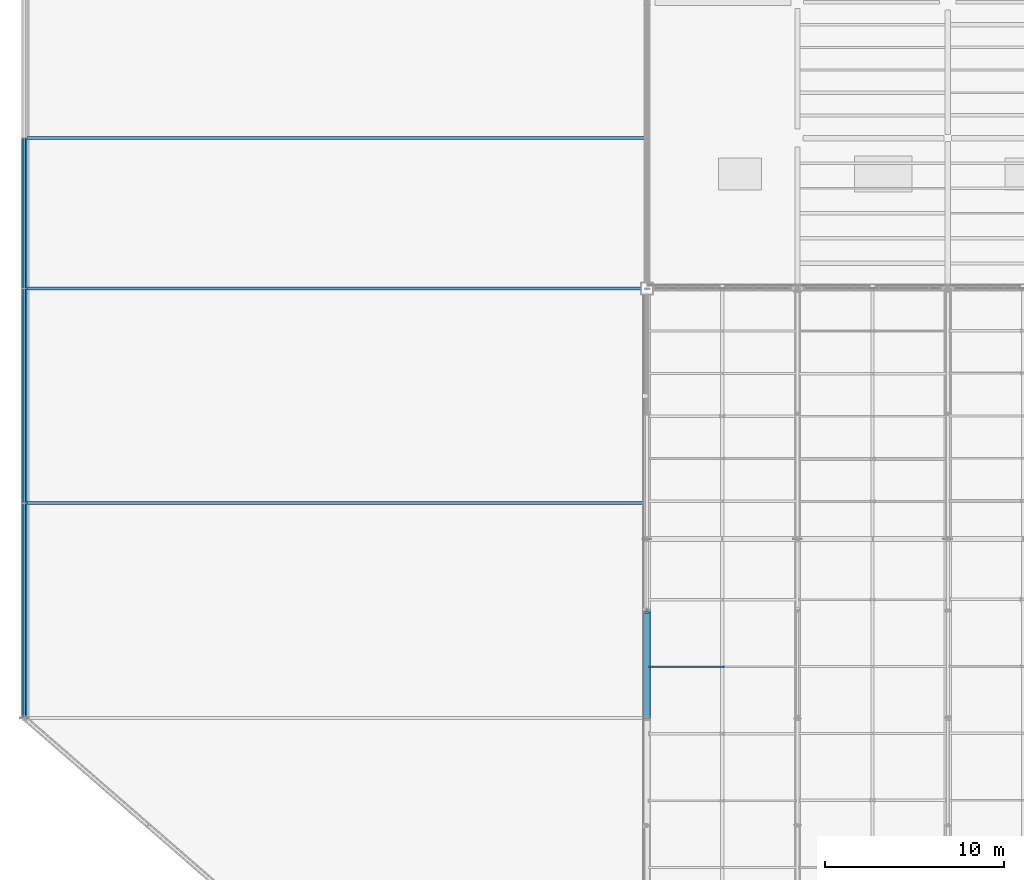
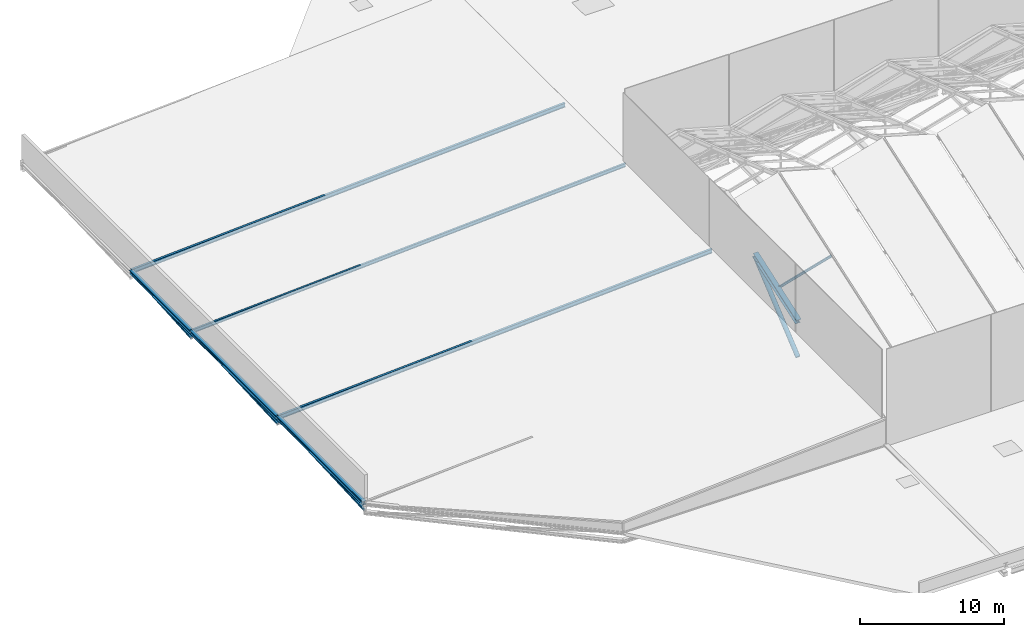
# One storey, part 8 of 77: 12 members.
"""IFC4 building model written with IfcOpenShell, lengths in metres."""

from ifc_helpers import new_model, si_unit, direction, frame, origin, origin_2d, place, context, subcontext, project, spatial, hollow_rectangle, hollow_circle, i_section, extrude, material, material_profile, profile_set, type_object, element, save


model = new_model("IFC4")

# Units and contexts
model_context = context("Model", 3, precision=1e-05, world=origin(), true_north=direction((0.0, 1.0)))
body_context = subcontext(model_context, "Body", "Model", "MODEL_VIEW")
ifc_project = project(units=[si_unit("LENGTHUNIT", "METRE"), si_unit("AREAUNIT", "SQUARE_METRE"), si_unit("VOLUMEUNIT", "CUBIC_METRE"), si_unit("PLANEANGLEUNIT", "RADIAN"), si_unit("MASSUNIT", "GRAM", prefix="KILO")], contexts=[model_context])

# Site, building, storey
site_placement = place(None, origin())
site = spatial("IfcSite", under=ifc_project, at=site_placement, CompositionType="ELEMENT")
building_placement = place(site_placement, origin())
building = spatial("IfcBuilding", under=site, at=building_placement, Name="Larkvane Passage Sports Hall", CompositionType="ELEMENT")
storey_placement = place(building_placement, frame((0.0, 0.0, 22.199951171875)))
storey = spatial("IfcBuildingStorey", under=building, at=storey_placement, Name="RF", CompositionType="ELEMENT", Elevation=22.199951171875)

# Members
ifc_material_1 = material(Name="Steel S460N", Category="steel")
ifc_material_profile_1 = material_profile(ifc_material_1, hollow_circle(Radius=0.177734375, WallThickness=0.0126953125, at=origin_2d()), Name="CHS-355.6x12.7")
ifc_profile_set_1 = profile_set([ifc_material_profile_1], Name="Steel S460N")
member_type_1 = type_object("IfcMemberType", Name="MBR-BR-CHS355", PredefinedType="BRACE", material=ifc_profile_set_1)
member_1_placement = place(storey_placement, frame((34.800048828125, 51.64990234375, 0.18994140625), z_axis=(0.0, 0.768130087467, 0.640293814376), x_axis=(-1.0, 0.0, 0.0)))
element("IfcMember", 1, at=member_1_placement, inside=storey, type_object=member_type_1, Name="Arena roof truss 1 web brace 3", PredefinedType="BRACE", context=body_context, shape_type="SweptSolid", body=[
    extrude(hollow_circle(Radius=0.177734375, WallThickness=0.0126953125, at=origin_2d()), origin(), (0.0, 0.0, 1.0), 7.68115234375),
])
ifc_material_2 = material(Name="Steel S355JR", Category="steel")
ifc_material_profile_2 = material_profile(ifc_material_2, hollow_rectangle(XDim=0.14990234375, YDim=0.14990234375, WallThickness=0.008056640625, InnerFilletRadius=0.008056640625, OuterFilletRadius=0.01611328125, at=origin_2d()), Name="SHS-150x150x8")
ifc_profile_set_2 = profile_set([ifc_material_profile_2], Name="Steel S355JR")
member_type_2 = type_object("IfcMemberType", Name="MBR-BR-SHS150", PredefinedType="BRACE", material=ifc_profile_set_2)
for number, where, z_axis, x_axis, name in (
    (2, (0.0, 51.60009765625, -0.544921875), (0.0, 0.998893648481, 0.047026365206), (-1.0, 0.0, 0.0), "Northwest roof west eave truss web 1"),
    (3, (0.0, 63.60009765625, -0.544921875), (0.0, 0.998893648481, 0.047026365206), (-1.0, 0.0, 0.0), "Northwest roof west eave truss web 2"),
):
    element("IfcMember", number, at=place(storey_placement, frame(where, z_axis=z_axis, x_axis=x_axis)), inside=storey, type_object=member_type_2, Name=name, PredefinedType="BRACE", context=body_context, shape_type="SweptSolid", body=[
        extrude(hollow_rectangle(XDim=0.14990234375, YDim=0.14990234375, WallThickness=0.008056640625, InnerFilletRadius=0.008056640625, OuterFilletRadius=0.01611328125, at=origin_2d()), origin(), (0.0, 0.0, 1.0), 12.01318359375),
    ])
member_2_placement = place(storey_placement, frame((0.0, 75.60009765625, -0.544921875), z_axis=(0.0, 0.997745978542, 0.067104115397), x_axis=(-1.0, 0.0, 0.0)))
element("IfcMember", 4, at=member_2_placement, inside=storey, type_object=member_type_2, Name="Northwest roof west eave truss web 3", PredefinedType="BRACE", context=body_context, shape_type="SweptSolid", body=[
    extrude(hollow_rectangle(XDim=0.14990234375, YDim=0.14990234375, WallThickness=0.008056640625, InnerFilletRadius=0.008056640625, OuterFilletRadius=0.01611328125, at=origin_2d()), origin(), (0.0, 0.0, 1.0), 8.4189453125),
])
ifc_material_profile_3 = material_profile(ifc_material_1, i_section(OverallWidth=0.300048828125, OverallDepth=0.300048828125, WebThickness=0.010009765625, FlangeThickness=0.014892578125, FilletRadius=0.012939453125, at=origin_2d()), Name="H-300x300x10x15")
ifc_profile_set_3 = profile_set([ifc_material_profile_3], Name="Steel S460N")
member_type_3 = type_object("IfcMemberType", Name="MBR-CH-H300", PredefinedType="CHORD", material=ifc_profile_set_3)
for number, where, z_axis, x_axis, name in (
    (5, (0.0, 51.60009765625, 0.02001953125), (0.0, 1.0, 0.0), (-1.0, 0.0, 0.0), "Northwest roof west eave truss top chord 1"),
    (6, (0.0, 63.60009765625, 0.02001953125), (0.0, 1.0, 0.0), (-1.0, 0.0, 0.0), "Northwest roof west eave truss top chord 2"),
):
    element("IfcMember", number, at=place(storey_placement, frame(where, z_axis=z_axis, x_axis=x_axis)), inside=storey, type_object=member_type_3, Name=name, PredefinedType="CHORD", context=body_context, shape_type="SweptSolid", body=[
        extrude(i_section(OverallWidth=0.300048828125, OverallDepth=0.300048828125, WebThickness=0.010009765625, FlangeThickness=0.014892578125, FilletRadius=0.012939453125, at=origin_2d()), origin(), (0.0, 0.0, 1.0), 12.0),
    ])
member_3_placement = place(storey_placement, frame((0.0, 75.60009765625, 0.02001953125), z_axis=(0.0, 1.0, 0.0), x_axis=(-1.0, 0.0, 0.0)))
element("IfcMember", 7, at=member_3_placement, inside=storey, type_object=member_type_3, Name="Northwest roof west eave truss top chord 3", PredefinedType="CHORD", context=body_context, shape_type="SweptSolid", body=[
    extrude(i_section(OverallWidth=0.300048828125, OverallDepth=0.300048828125, WebThickness=0.010009765625, FlangeThickness=0.014892578125, FilletRadius=0.012939453125, at=origin_2d()), origin(), (0.0, 0.0, 1.0), 8.39990234375),
])
ifc_material_profile_4 = material_profile(ifc_material_1, i_section(OverallWidth=0.39990234375, OverallDepth=0.39990234375, WebThickness=0.012939453125, FlangeThickness=0.02099609375, FilletRadius=0.02197265625, at=origin_2d()), Name="H-400x400x13x21")
ifc_profile_set_4 = profile_set([ifc_material_profile_4], Name="Steel S460N")
member_type_4 = type_object("IfcMemberType", Name="MBR-CH-H400", PredefinedType="CHORD", material=ifc_profile_set_4)
member_4_placement = place(storey_placement, frame((34.800048828125, 51.60009765625, 3.2255859375), z_axis=(0.0, 0.945188910593, 0.326524001096), x_axis=(-1.0, 0.0, 0.0)))
element("IfcMember", 8, at=member_4_placement, inside=storey, type_object=member_type_4, Name="Arena roof truss 1 top chord 3", PredefinedType="CHORD", context=body_context, shape_type="SweptSolid", body=[
    extrude(i_section(OverallWidth=0.39990234375, OverallDepth=0.39990234375, WebThickness=0.012939453125, FlangeThickness=0.02099609375, FilletRadius=0.02197265625, at=origin_2d()), origin(), (0.0, 0.0, 1.0), 6.347900390625),
])
ifc_material_profile_5 = material_profile(ifc_material_2, i_section(OverallWidth=0.10009765625, OverallDepth=0.199951171875, WebThickness=0.005615234375, FlangeThickness=0.008056640625, FilletRadius=0.008056640625, at=origin_2d()), Name="H-200x100x5.5x8")
ifc_profile_set_5 = profile_set([ifc_material_profile_5], Name="Steel S355JR")
member_type_5 = type_object("IfcMemberType", Name="MBR-PR-H200", PredefinedType="PURLIN", material=ifc_profile_set_5)
member_5_placement = place(storey_placement, frame((34.895263671875, 54.455078125, 4.35888671875), z_axis=(0.961511291812, 0.0, 0.274765419436), x_axis=(0.0, 1.0, 0.0)))
element("IfcMember", 9, at=member_5_placement, inside=storey, type_object=member_type_5, Name="Folded roof purlin FRP-B1-SW-4", PredefinedType="PURLIN", context=body_context, shape_type="SweptSolid", body=[
    extrude(i_section(OverallWidth=0.10009765625, OverallDepth=0.199951171875, WebThickness=0.005615234375, FlangeThickness=0.008056640625, FilletRadius=0.008056640625, at=origin_2d()), origin(), (0.0, 0.0, 1.0), 4.3681640625),
])
ifc_material_profile_6 = material_profile(ifc_material_2, i_section(OverallWidth=0.14990234375, OverallDepth=0.300048828125, WebThickness=0.006591796875, FlangeThickness=0.009033203125, FilletRadius=0.012939453125, at=origin_2d()), Name="H-300x150x6.5x9")
ifc_profile_set_6 = profile_set([ifc_material_profile_6], Name="Steel S355JR")
member_type_6 = type_object("IfcMemberType", Name="MBR-RF-H300", PredefinedType="RAFTER", material=ifc_profile_set_6)
member_6_placement = place(storey_placement, frame((0.0, 75.60009765625, 0.02001953125), z_axis=(0.998417756074, 0.0, 0.056231524584), x_axis=(0.0, 1.0, 0.0)))
element("IfcMember", 10, at=member_6_placement, inside=storey, type_object=member_type_6, Name="Northwest court sloped roof rafter 3", PredefinedType="RAFTER", context=body_context, shape_type="SweptSolid", body=[
    extrude(i_section(OverallWidth=0.14990234375, OverallDepth=0.300048828125, WebThickness=0.006591796875, FlangeThickness=0.009033203125, FilletRadius=0.012939453125, at=origin_2d()), origin(), (0.0, 0.0, 1.0), 34.855224609375),
])
ifc_material_profile_7 = material_profile(ifc_material_2, i_section(OverallWidth=0.175048828125, OverallDepth=0.35009765625, WebThickness=0.007080078125, FlangeThickness=0.010986328125, FilletRadius=0.012939453125, at=origin_2d()), Name="H-350x175x7x11")
ifc_profile_set_7 = profile_set([ifc_material_profile_7], Name="Steel S355JR")
member_type_7 = type_object("IfcMemberType", Name="MBR-RF-H350", PredefinedType="RAFTER", material=ifc_profile_set_7)
for number, where, z_axis, x_axis, name in (
    (11, (0.0, 63.60009765625, 0.02001953125), (0.998417756074, 0.0, 0.056231524584), (0.0, 1.0, 0.0), "Northwest court sloped roof rafter 2"),
    (12, (0.0, 84.0, 0.02001953125), (0.998417756074, 0.0, 0.056231524584), (0.0, 1.0, 0.0), "Northwest court sloped roof rafter 4"),
):
    element("IfcMember", number, at=place(storey_placement, frame(where, z_axis=z_axis, x_axis=x_axis)), inside=storey, type_object=member_type_7, Name=name, PredefinedType="RAFTER", context=body_context, shape_type="SweptSolid", body=[
        extrude(i_section(OverallWidth=0.175048828125, OverallDepth=0.35009765625, WebThickness=0.007080078125, FlangeThickness=0.010986328125, FilletRadius=0.012939453125, at=origin_2d()), origin(), (0.0, 0.0, 1.0), 34.855224609375),
    ])

save(model, "model.ifc")
